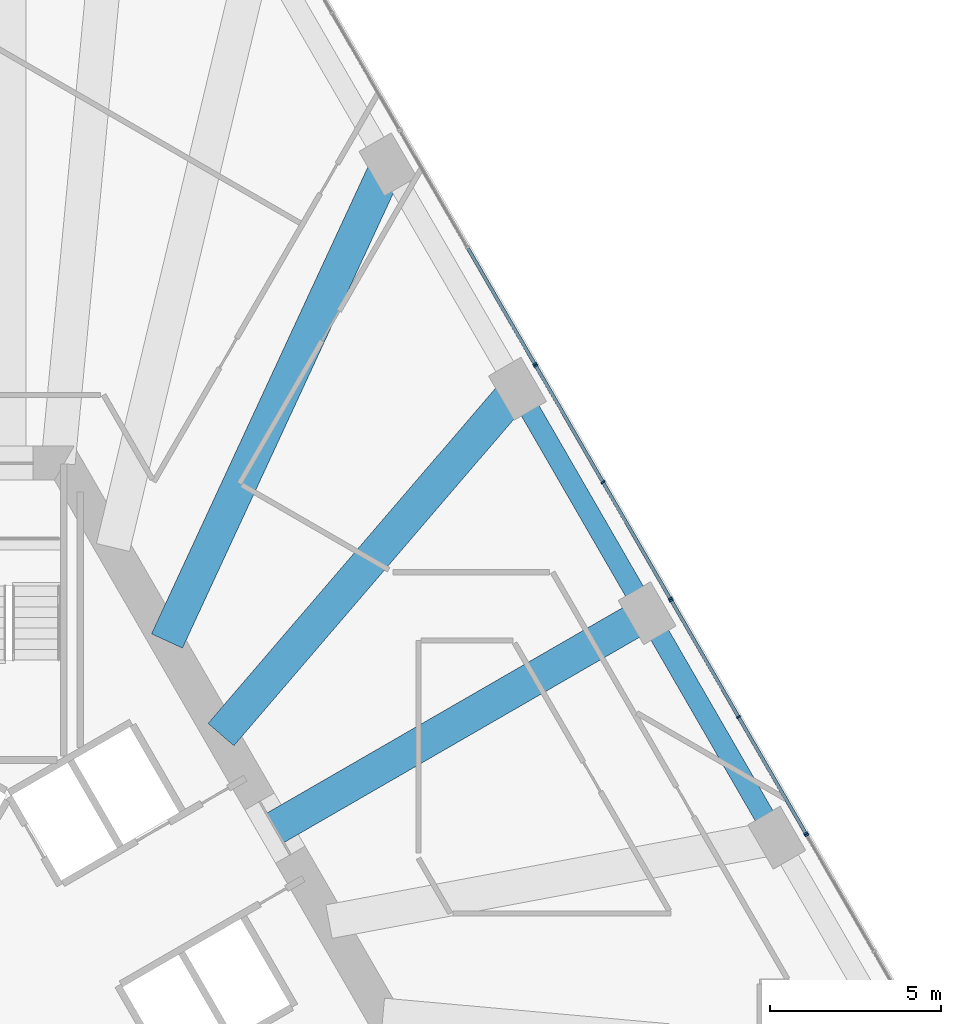
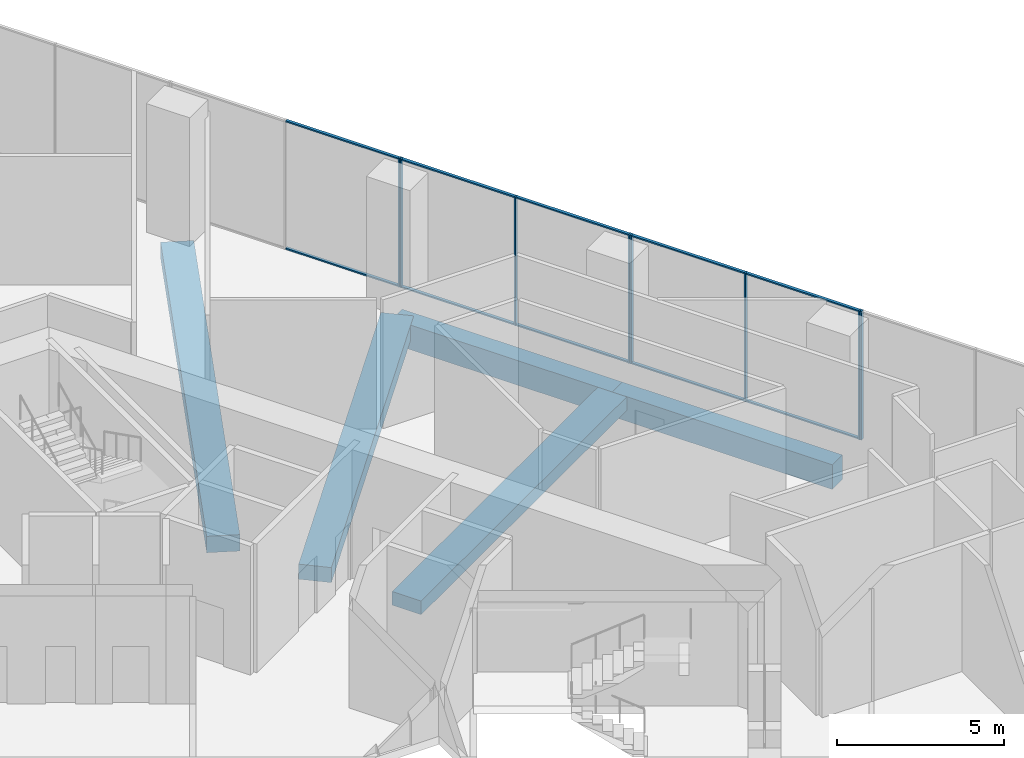
# One storey, part 15 of 28: 18 members, 5 beams, 4 elements without a shape of their own.
"""IFC4 building model written with IfcOpenShell, lengths in metres."""

from ifc_helpers import new_model, si_unit, direction, frame, origin, origin_2d, place, context, subcontext, project, spatial, rectangle, extrude, material, layer, layer_set, material_profile, profile_set, type_object, element, aggregate, save


model = new_model("IFC4")

# Units and contexts
model_context = context("Model", 3, precision=1e-05, world=origin(), true_north=direction((0.0, 1.0)))
body_context = subcontext(model_context, "Body", "Model", "MODEL_VIEW")
ifc_project = project(units=[si_unit("LENGTHUNIT", "METRE"), si_unit("AREAUNIT", "SQUARE_METRE"), si_unit("VOLUMEUNIT", "CUBIC_METRE"), si_unit("PLANEANGLEUNIT", "RADIAN"), si_unit("MASSUNIT", "GRAM", prefix="KILO")], contexts=[model_context])

# Site, building, storey
site_placement = place(None, origin())
site = spatial("IfcSite", under=ifc_project, at=site_placement, CompositionType="ELEMENT")
building_placement = place(site_placement, origin())
building = spatial("IfcBuilding", under=site, at=building_placement, Name="Triada Interchange Tower", CompositionType="ELEMENT")
storey_placement = place(building_placement, frame((0.0, 0.0, 30.300048828125)))
storey = spatial("IfcBuildingStorey", under=building, at=storey_placement, Name="L05", CompositionType="ELEMENT", Elevation=30.300048828125)

# Curtain wall, member
ifc_material_1 = material(Name="Aluminium framed glazing", Category="aluminium")
ifc_layer = layer(ifc_material_1, 0.199951171875)
ifc_layer_set = layer_set([ifc_layer], Name="Curtain wall Winter garden glazing")
curtain_wall_type = type_object("IfcCurtainWallType", Name="Curtain wall Winter garden glazing", PredefinedType="NOTDEFINED", material=ifc_layer_set)
curtain_wall_1_placement = place(storey_placement, origin())
curtain_wall_1 = element("IfcCurtainWall", 1, at=curtain_wall_1_placement, inside=storey, type_object=curtain_wall_type, Name="Winter garden glazing CW014 L05", PredefinedType="NOTDEFINED")
ifc_material_2 = material(Name="Aluminium", Category="aluminium")
ifc_material_profile_1 = material_profile(ifc_material_2, rectangle(XDim=0.1201171875, YDim=0.050048828125, at=origin_2d()), Name="Aluminium mullion")
ifc_profile_set_1 = profile_set([ifc_material_profile_1], Name="Aluminium")
member_type_1 = type_object("IfcMemberType", Name="Mullion Winter garden glazing 120x50", PredefinedType="MULLION", material=ifc_profile_set_1)
member_1_placement = place(storey_placement, frame((23.387451171875, 4.292236328125, 0.0), z_axis=(0.0, 0.0, 1.0), x_axis=(-0.866055473648, -0.499947913852, 0.0)))
member_1 = element("IfcMember", 2, at=member_1_placement, type_object=member_type_1, Name="CW014 mullion 3", PredefinedType="MULLION", context=body_context, shape_type="SweptSolid", body=[
    extrude(rectangle(XDim=0.1201171875, YDim=0.050048828125, at=origin_2d()), origin(), (0.0, 0.0, 1.0), 4.699951171875),
])
aggregate(curtain_wall_1, [member_1])

# Curtain wall, members
curtain_wall_2_placement = place(storey_placement, origin())
curtain_wall_2 = element("IfcCurtainWall", 3, at=curtain_wall_2_placement, inside=storey, type_object=curtain_wall_type, Name="Winter garden glazing CW015 L05", PredefinedType="NOTDEFINED")
member_2_placement = place(storey_placement, frame((23.3564453125, 4.3447265625, 0.0), z_axis=(0.0, 0.0, 1.0), x_axis=(-0.866086968603, -0.499893351442, 0.0)))
member_2 = element("IfcMember", 4, at=member_2_placement, type_object=member_type_1, Name="CW015 mullion 1", PredefinedType="MULLION", context=body_context, shape_type="SweptSolid", body=[
    extrude(rectangle(XDim=0.1201171875, YDim=0.050048828125, at=origin_2d()), origin(), (0.0, 0.0, 1.0), 4.699951171875),
])
member_3_placement = place(storey_placement, frame((21.385498046875, 7.759521484375, 0.0), z_axis=(0.0, 0.0, 1.0), x_axis=(-0.866086968603, -0.499893351442, 0.0)))
member_3 = element("IfcMember", 5, at=member_3_placement, type_object=member_type_1, Name="CW015 mullion 2", PredefinedType="MULLION", context=body_context, shape_type="SweptSolid", body=[
    extrude(rectangle(XDim=0.1201171875, YDim=0.050048828125, at=origin_2d()), origin(), (0.0, 0.0, 1.0), 4.699951171875),
])
member_4_placement = place(storey_placement, frame((19.41455078125, 11.17431640625, 0.0), z_axis=(0.0, 0.0, 1.0), x_axis=(-0.866086968603, -0.499893351442, 0.0)))
member_4 = element("IfcMember", 6, at=member_4_placement, type_object=member_type_1, Name="CW015 mullion 3", PredefinedType="MULLION", context=body_context, shape_type="SweptSolid", body=[
    extrude(rectangle(XDim=0.1201171875, YDim=0.050048828125, at=origin_2d()), origin(), (0.0, 0.0, 1.0), 4.699951171875),
])

curtain_wall_3_placement = place(storey_placement, origin())
curtain_wall_3 = element("IfcCurtainWall", 7, at=curtain_wall_3_placement, inside=storey, type_object=curtain_wall_type, Name="Winter garden glazing CW016 L05", PredefinedType="NOTDEFINED")
member_5_placement = place(storey_placement, frame((19.383544921875, 11.2255859375, 0.0), z_axis=(0.0, 0.0, 1.0), x_axis=(-0.866086968603, -0.499893351442, 0.0)))
member_5 = element("IfcMember", 8, at=member_5_placement, type_object=member_type_1, Name="CW016 mullion 1", PredefinedType="MULLION", context=body_context, shape_type="SweptSolid", body=[
    extrude(rectangle(XDim=0.1201171875, YDim=0.050048828125, at=origin_2d()), origin(), (0.0, 0.0, 1.0), 4.699951171875),
])
member_6_placement = place(storey_placement, frame((17.41259765625, 14.640380859375, 0.0), z_axis=(0.0, 0.0, 1.0), x_axis=(-0.866086968603, -0.499893351442, 0.0)))
member_6 = element("IfcMember", 9, at=member_6_placement, type_object=member_type_1, Name="CW016 mullion 2", PredefinedType="MULLION", context=body_context, shape_type="SweptSolid", body=[
    extrude(rectangle(XDim=0.1201171875, YDim=0.050048828125, at=origin_2d()), origin(), (0.0, 0.0, 1.0), 4.699951171875),
])
member_7_placement = place(storey_placement, frame((15.44140625, 18.055419921875, 0.0), z_axis=(0.0, 0.0, 1.0), x_axis=(-0.866086968603, -0.499893351442, 0.0)))
member_7 = element("IfcMember", 10, at=member_7_placement, type_object=member_type_1, Name="CW016 mullion 3", PredefinedType="MULLION", context=body_context, shape_type="SweptSolid", body=[
    extrude(rectangle(XDim=0.1201171875, YDim=0.050048828125, at=origin_2d()), origin(), (0.0, 0.0, 1.0), 4.699951171875),
])

# Curtain wall, member
curtain_wall_4_placement = place(storey_placement, origin())
curtain_wall_4 = element("IfcCurtainWall", 11, at=curtain_wall_4_placement, inside=storey, type_object=curtain_wall_type, Name="Winter garden glazing CW017 L05", PredefinedType="NOTDEFINED")
member_8_placement = place(storey_placement, frame((15.410400390625, 18.107666015625, 0.0), z_axis=(0.0, 0.0, 1.0), x_axis=(-0.866055473648, -0.499947913852, 0.0)))
member_8 = element("IfcMember", 12, at=member_8_placement, type_object=member_type_1, Name="CW017 mullion 1", PredefinedType="MULLION", context=body_context, shape_type="SweptSolid", body=[
    extrude(rectangle(XDim=0.1201171875, YDim=0.050048828125, at=origin_2d()), origin(), (0.0, 0.0, 1.0), 4.699951171875),
])

# Beams
ifc_material_3 = material(Name="Concrete C50/60", Category="concrete")
ifc_material_profile_2 = material_profile(ifc_material_3, rectangle(XDim=1.0, YDim=0.5, at=origin_2d()), Name="RC 1000x500")
ifc_profile_set_2 = profile_set([ifc_material_profile_2], Name="Concrete C50/60")
beam_type_1 = type_object("IfcBeamType", Name="Radial band beam P RC 1000x500", PredefinedType="BEAM", material=ifc_profile_set_2)
beam_1_placement = place(storey_placement, frame((18.7060546875, 10.800048828125, -0.650146484375), z_axis=(-0.866027481415, -0.499996401421, 0.0), x_axis=(0.499996401421, -0.866027481415, 0.0)))
element("IfcBeam", 13, at=beam_1_placement, inside=storey, type_object=beam_type_1, Name="Radial band beam BP25 L05", PredefinedType="BEAM", context=body_context, shape_type="SweptSolid", body=[
    extrude(rectangle(XDim=1.0, YDim=0.5, at=origin_2d()), origin(), (0.0, 0.0, 1.0), 12.60009765625),
])
ifc_material_profile_3 = material_profile(ifc_material_3, rectangle(XDim=1.0, YDim=0.550048828125, at=origin_2d()), Name="RC 1000x550")
ifc_profile_set_3 = profile_set([ifc_material_profile_3], Name="Concrete C50/60")
beam_type_2 = type_object("IfcBeamType", Name="Radial band beam P RC 1000x550", PredefinedType="BEAM", material=ifc_profile_set_3)
beam_2_placement = place(storey_placement, frame((14.906005859375, 17.381103515625, -0.675048828125), z_axis=(-0.650979511823, -0.759095300464, 0.0), x_axis=(0.759095300464, -0.650979511823, 0.0)))
element("IfcBeam", 14, at=beam_2_placement, inside=storey, type_object=beam_type_2, Name="Radial band beam BP26 L05", PredefinedType="BEAM", context=body_context, shape_type="SweptSolid", body=[
    extrude(rectangle(XDim=1.0, YDim=0.550048828125, at=origin_2d()), origin(), (0.0, 0.0, 1.0), 13.35693359375),
])
ifc_material_profile_4 = material_profile(ifc_material_3, rectangle(XDim=1.0, YDim=0.60009765625, at=origin_2d()), Name="RC 1000x600")
ifc_profile_set_4 = profile_set([ifc_material_profile_4], Name="Concrete C50/60")
beam_type_3 = type_object("IfcBeamType", Name="Radial band beam P RC 1000x600", PredefinedType="BEAM", material=ifc_profile_set_4)
beam_3_placement = place(storey_placement, frame((11.10595703125, 23.9619140625, -0.699951171875), z_axis=(-0.420512879237, -0.90728656906, 0.0), x_axis=(0.90728656906, -0.420512879237, 0.0)))
element("IfcBeam", 15, at=beam_3_placement, inside=storey, type_object=beam_type_3, Name="Radial band beam BP27 L05", PredefinedType="BEAM", context=body_context, shape_type="SweptSolid", body=[
    extrude(rectangle(XDim=1.0, YDim=0.60009765625, at=origin_2d()), origin(), (0.0, 0.0, 1.0), 15.405029296875),
])
ifc_material_profile_5 = material_profile(ifc_material_3, rectangle(XDim=0.60009765625, YDim=0.89990234375, at=origin_2d()), Name="RC 600x900")
ifc_profile_set_5 = profile_set([ifc_material_profile_5], Name="Concrete C50/60")
beam_type_4 = type_object("IfcBeamType", Name="Spandrel beam P RC 600x900", PredefinedType="BEAM", material=ifc_profile_set_5)
for number, where, z_axis, x_axis, name in (
    (16, (22.506103515625, 4.218994140625, -0.85009765625), (-0.500046891162, 0.865998329467, 0.0), (-0.865998329467, -0.500046891162, 0.0), "Spandrel beam EP24 L05"),
    (17, (18.7060546875, 10.800048828125, -0.85009765625), (-0.500046891162, 0.865998329467, 0.0), (-0.865998329467, -0.500046891162, 0.0), "Spandrel beam EP25 L05"),
):
    element("IfcBeam", number, at=place(storey_placement, frame(where, z_axis=z_axis, x_axis=x_axis)), inside=storey, type_object=beam_type_4, Name=name, PredefinedType="BEAM", context=body_context, shape_type="SweptSolid", body=[
        extrude(rectangle(XDim=0.60009765625, YDim=0.89990234375, at=origin_2d()), origin(), (0.0, 0.0, 1.0), 7.599365234375),
    ])

# Member
ifc_material_profile_6 = material_profile(ifc_material_2, rectangle(XDim=0.10009765625, YDim=0.050048828125, at=origin_2d()), Name="Aluminium transom")
ifc_profile_set_6 = profile_set([ifc_material_profile_6], Name="Aluminium")
member_type_2 = type_object("IfcMemberType", Name="Transom Winter garden glazing 100x50", PredefinedType="USERDEFINED", material=ifc_profile_set_6)
member_9_placement = place(storey_placement, frame((23.343994140625, 4.3662109375, 0.02490234375), z_axis=(-0.499896178229, 0.866085337015, 0.0), x_axis=(-0.866085337015, -0.499896178229, 0.0)))
member_9 = element("IfcMember", 18, at=member_9_placement, type_object=member_type_2, Name="CW015 transom 1.1", ObjectType="TRANSOM", PredefinedType="USERDEFINED", context=body_context, shape_type="SweptSolid", body=[
    extrude(rectangle(XDim=0.10009765625, YDim=0.050048828125, at=origin_2d()), origin(), (0.0, 0.0, 1.0), 3.892822265625),
])

member_10_placement = place(storey_placement, frame((23.343994140625, 4.3662109375, 4.675048828125), z_axis=(-0.499896178229, 0.866085337015, 0.0), x_axis=(-0.866085337015, -0.499896178229, 0.0)))
member_10 = element("IfcMember", 19, at=member_10_placement, type_object=member_type_2, Name="CW015 transom 1.2", ObjectType="TRANSOM", PredefinedType="USERDEFINED", context=body_context, shape_type="SweptSolid", body=[
    extrude(rectangle(XDim=0.10009765625, YDim=0.050048828125, at=origin_2d()), origin(), (0.0, 0.0, 1.0), 3.892822265625),
])

member_11_placement = place(storey_placement, frame((21.373046875, 7.78125, 0.02490234375), z_axis=(-0.499923331814, 0.866069663658, 0.0), x_axis=(-0.866069663658, -0.499923331814, 0.0)))
member_11 = element("IfcMember", 20, at=member_11_placement, type_object=member_type_2, Name="CW015 transom 2.1", ObjectType="TRANSOM", PredefinedType="USERDEFINED", context=body_context, shape_type="SweptSolid", body=[
    extrude(rectangle(XDim=0.10009765625, YDim=0.050048828125, at=origin_2d()), origin(), (0.0, 0.0, 1.0), 3.892578125),
])

member_12_placement = place(storey_placement, frame((21.373046875, 7.78125, 4.675048828125), z_axis=(-0.499923331814, 0.866069663658, 0.0), x_axis=(-0.866069663658, -0.499923331814, 0.0)))
member_12 = element("IfcMember", 21, at=member_12_placement, type_object=member_type_2, Name="CW015 transom 2.2", ObjectType="TRANSOM", PredefinedType="USERDEFINED", context=body_context, shape_type="SweptSolid", body=[
    extrude(rectangle(XDim=0.10009765625, YDim=0.050048828125, at=origin_2d()), origin(), (0.0, 0.0, 1.0), 3.892578125),
])

aggregate(curtain_wall_2, [member_2, member_3, member_4, member_9, member_10, member_11, member_12])

member_13_placement = place(storey_placement, frame((19.37109375, 11.247314453125, 0.02490234375), z_axis=(-0.499896178229, 0.866085337015, 0.0), x_axis=(-0.866085337015, -0.499896178229, 0.0)))
member_13 = element("IfcMember", 22, at=member_13_placement, type_object=member_type_2, Name="CW016 transom 1.1", ObjectType="TRANSOM", PredefinedType="USERDEFINED", context=body_context, shape_type="SweptSolid", body=[
    extrude(rectangle(XDim=0.10009765625, YDim=0.050048828125, at=origin_2d()), origin(), (0.0, 0.0, 1.0), 3.892822265625),
])

member_14_placement = place(storey_placement, frame((19.37109375, 11.247314453125, 4.675048828125), z_axis=(-0.499896178229, 0.866085337015, 0.0), x_axis=(-0.866085337015, -0.499896178229, 0.0)))
member_14 = element("IfcMember", 23, at=member_14_placement, type_object=member_type_2, Name="CW016 transom 1.2", ObjectType="TRANSOM", PredefinedType="USERDEFINED", context=body_context, shape_type="SweptSolid", body=[
    extrude(rectangle(XDim=0.10009765625, YDim=0.050048828125, at=origin_2d()), origin(), (0.0, 0.0, 1.0), 3.892822265625),
])

member_15_placement = place(storey_placement, frame((17.39990234375, 14.662109375, 0.02490234375), z_axis=(-0.499849133735, 0.866112488944, 0.0), x_axis=(-0.866112488944, -0.499849133735, 0.0)))
member_15 = element("IfcMember", 24, at=member_15_placement, type_object=member_type_2, Name="CW016 transom 2.1", ObjectType="TRANSOM", PredefinedType="USERDEFINED", context=body_context, shape_type="SweptSolid", body=[
    extrude(rectangle(XDim=0.10009765625, YDim=0.050048828125, at=origin_2d()), origin(), (0.0, 0.0, 1.0), 3.892822265625),
])

member_16_placement = place(storey_placement, frame((17.39990234375, 14.662109375, 4.675048828125), z_axis=(-0.499849133735, 0.866112488944, 0.0), x_axis=(-0.866112488944, -0.499849133735, 0.0)))
member_16 = element("IfcMember", 25, at=member_16_placement, type_object=member_type_2, Name="CW016 transom 2.2", ObjectType="TRANSOM", PredefinedType="USERDEFINED", context=body_context, shape_type="SweptSolid", body=[
    extrude(rectangle(XDim=0.10009765625, YDim=0.050048828125, at=origin_2d()), origin(), (0.0, 0.0, 1.0), 3.892822265625),
])

aggregate(curtain_wall_3, [member_5, member_6, member_7, member_13, member_14, member_15, member_16])

member_17_placement = place(storey_placement, frame((15.39794921875, 18.12939453125, 0.02490234375), z_axis=(-0.499977646359, 0.866038309281, 0.0), x_axis=(-0.866038309281, -0.499977646359, 0.0)))
member_17 = element("IfcMember", 26, at=member_17_placement, type_object=member_type_2, Name="CW017 transom 1.1", ObjectType="TRANSOM", PredefinedType="USERDEFINED", context=body_context, shape_type="SweptSolid", body=[
    extrude(rectangle(XDim=0.10009765625, YDim=0.050048828125, at=origin_2d()), origin(), (0.0, 0.0, 1.0), 3.892333984375),
])

member_18_placement = place(storey_placement, frame((15.39794921875, 18.12939453125, 4.675048828125), z_axis=(-0.499977646359, 0.866038309281, 0.0), x_axis=(-0.866038309281, -0.499977646359, 0.0)))
member_18 = element("IfcMember", 27, at=member_18_placement, type_object=member_type_2, Name="CW017 transom 1.2", ObjectType="TRANSOM", PredefinedType="USERDEFINED", context=body_context, shape_type="SweptSolid", body=[
    extrude(rectangle(XDim=0.10009765625, YDim=0.050048828125, at=origin_2d()), origin(), (0.0, 0.0, 1.0), 3.892333984375),
])

aggregate(curtain_wall_4, [member_8, member_17, member_18])

save(model, "model.ifc")
